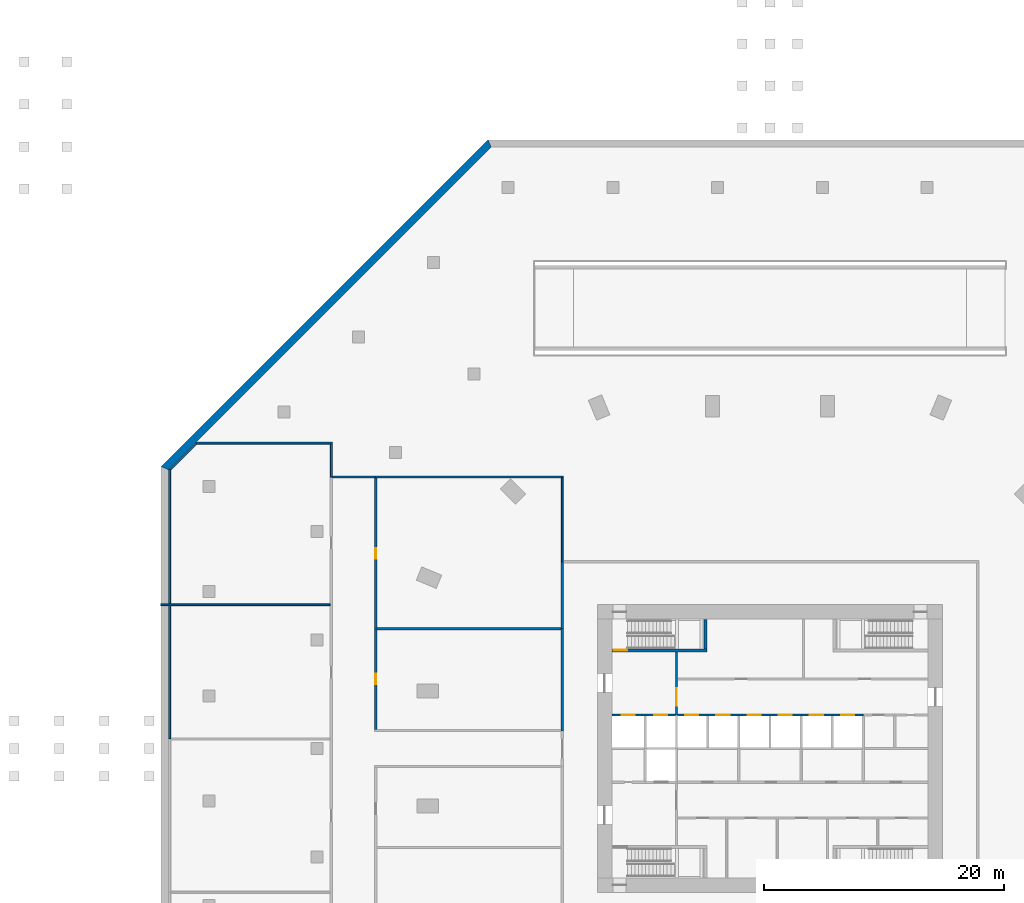
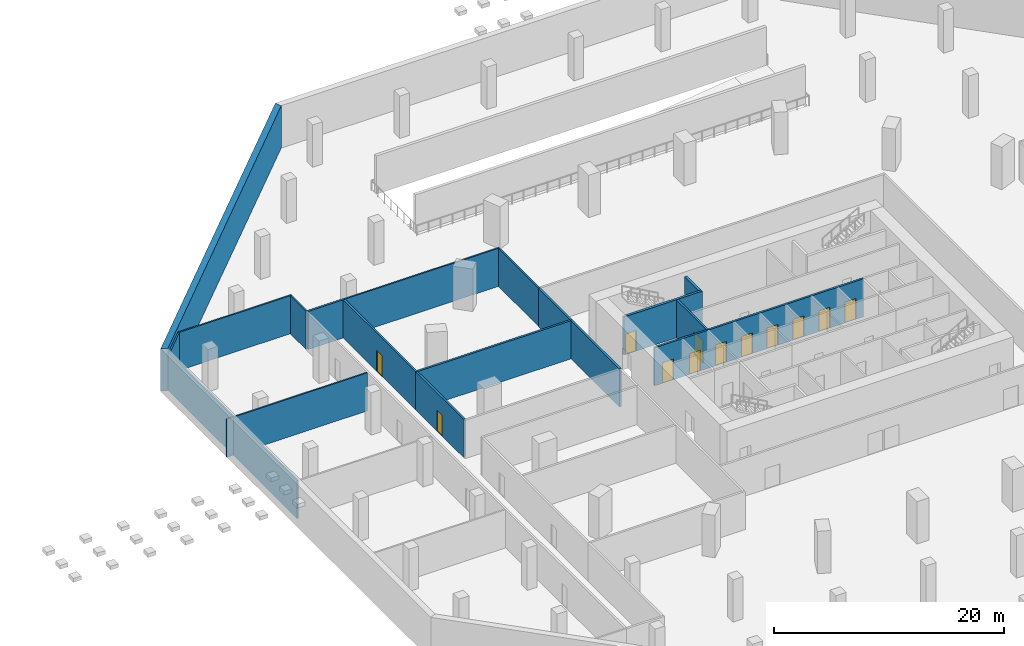
# One storey, part 7 of 11: 19 walls, 12 doors, 12 openings.
"""IFC4 building model written with IfcOpenShell, lengths in metres."""

from ifc_helpers import new_model, si_unit, direction, frame, frame_2d, origin, place, context, subcontext, project, spatial, polyline, rectangle, outline, extrude, material, layer, layer_set, type_object, element, fill, save


model = new_model("IFC4")

# Units and contexts
model_context = context("Model", 3, precision=1e-05, world=origin(), true_north=direction((0.0, 1.0)))
body_context = subcontext(model_context, "Body", "Model", "MODEL_VIEW")
ifc_project = project(units=[si_unit("LENGTHUNIT", "METRE"), si_unit("AREAUNIT", "SQUARE_METRE"), si_unit("VOLUMEUNIT", "CUBIC_METRE"), si_unit("PLANEANGLEUNIT", "RADIAN"), si_unit("MASSUNIT", "GRAM", prefix="KILO")], contexts=[model_context])

# Site, building, storey
site_placement = place(None, origin())
site = spatial("IfcSite", under=ifc_project, at=site_placement, CompositionType="ELEMENT")
building_placement = place(site_placement, origin())
building = spatial("IfcBuilding", under=site, at=building_placement, Name="Msitu Wima Residences", CompositionType="ELEMENT")
storey_placement = place(building_placement, frame((0.0, 0.0, -4.5)))
storey = spatial("IfcBuildingStorey", under=building, at=storey_placement, Name="B1", CompositionType="ELEMENT", Elevation=-4.5)

# Wall
ifc_material_1 = material(Name="Plaster")
ifc_layer_1 = layer(ifc_material_1, 0.011962890625, Name="Plaster")
ifc_material_2 = material(Name="Concrete blockwork", Category="masonry")
ifc_layer_2 = layer(ifc_material_2, 0.176025390625, Name="Concrete blockwork")
ifc_layer_3 = layer(ifc_material_1, 0.011962890625, Name="Plaster")
ifc_layer_set_1 = layer_set([ifc_layer_1, ifc_layer_2, ifc_layer_3], Name="Concrete blockwork")
wall_type_1 = type_object("IfcWallType", Name="Corridor wall FW200", PredefinedType="PARTITIONING", material=ifc_layer_set_1)
wall_1_placement = place(storey_placement, frame((-36.5, 22.65576171875, 0.0), z_axis=(0.0, 0.0, 1.0), x_axis=(1.0, 0.0, 0.0)))
element("IfcWall", 1, at=wall_1_placement, inside=storey, type_object=wall_type_1, Name="Corridor wall", PredefinedType="PARTITIONING", context=body_context, shape_type="SweptSolid", body=[
    extrude(rectangle(XDim=3.60009765625, YDim=0.199951171875, at=frame_2d((1.800048828125, 0.0))), origin(), (0.0, 0.0, 1.0), 4.048095703125),
])

# Wall, opening, door
wall_2_placement = place(storey_placement, frame((-32.89990234375, 9.97998046875, 0.0), z_axis=(0.0, 0.0, 1.0), x_axis=(0.0, 1.0, 0.0)))
wall_2 = element("IfcWall", 2, at=wall_2_placement, inside=storey, type_object=wall_type_1, Name="Corridor wall", PredefinedType="PARTITIONING", context=body_context, shape_type="SweptSolid", body=[
    extrude(rectangle(XDim=12.575927734375, YDim=0.199951171875, at=frame_2d((6.2880859375, 0.0))), origin(), (0.0, 0.0, 1.0), 4.048095703125),
])
opening_1_placement = place(wall_2_placement, frame((5.85009765625, 0.0, 0.0)))
opening_1 = element("IfcOpeningElement", 3, at=opening_1_placement, cuts=wall_2, Name="Opening DB1.032", PredefinedType="OPENING", context=body_context, shape_type="SweptSolid", body=[
    extrude(rectangle(XDim=0.89990234375, YDim=2.199951171875, at=frame_2d((0.449951171875, 1.10009765625))), frame((0.0, 0.10986328125, 0.0), z_axis=(0.0, -1.0, 0.0), x_axis=(1.0, 0.0, 0.0)), (0.0, 0.0, 1.0), 0.219970703125),
])
ifc_material_3 = material(Name="Timber flush door", Category="wood")
door_type_1 = type_object("IfcDoorType", Name="Service door D05 900x2200", OperationType="SINGLE_SWING_LEFT", PredefinedType="DOOR", material=ifc_material_3)
door_1_placement = place(opening_1_placement, origin())
door_1 = element("IfcDoor", 4, at=door_1_placement, inside=storey, type_object=door_type_1, Name="Service door", OperationType="SINGLE_SWING_LEFT", OverallHeight=2.199951171875, OverallWidth=0.89990234375, PredefinedType="DOOR", context=body_context, shape_type="SweptSolid", body=[
    extrude(rectangle(XDim=0.89990234375, YDim=2.199951171875, at=frame_2d((0.449951171875, 1.10009765625))), frame((0.0, 0.02490234375, 0.0), z_axis=(0.0, -1.0, 0.0), x_axis=(1.0, 0.0, 0.0)), (0.0, 0.0, 1.0), 0.050048828125),
])
fill(opening_1, door_1)

# Wall
wall_3_placement = place(storey_placement, frame((-17.327880859375, 10.02001953125, 0.0), z_axis=(0.0, 0.0, 1.0), x_axis=(0.0, 1.0, 0.0)))
element("IfcWall", 5, at=wall_3_placement, inside=storey, type_object=wall_type_1, Name="Corridor wall", PredefinedType="PARTITIONING", context=body_context, shape_type="SweptSolid", body=[
    extrude(rectangle(XDim=5.56005859375, YDim=0.199951171875, at=frame_2d((2.780029296875, 0.0))), origin(), (0.0, 0.0, 1.0), 4.048095703125),
])

# Wall, opening, door
wall_4_placement = place(storey_placement, frame((-7.800048828125, 2.800048828125, 0.0), z_axis=(0.0, 0.0, 1.0), x_axis=(0.0, 1.0, 0.0)))
wall_4 = element("IfcWall", 6, at=wall_4_placement, inside=storey, type_object=wall_type_1, Name="Corridor wall", PredefinedType="PARTITIONING", context=body_context, shape_type="SweptSolid", body=[
    extrude(rectangle(XDim=5.27490234375, YDim=0.199951171875, at=frame_2d((2.637451171875, 0.0))), origin(), (0.0, 0.0, 1.0), 4.048095703125),
])
opening_2_placement = place(wall_4_placement, frame((0.75, 0.0, 0.0)))
opening_2 = element("IfcOpeningElement", 7, at=opening_2_placement, cuts=wall_4, Name="Opening DB1.002", PredefinedType="OPENING", context=body_context, shape_type="SweptSolid", body=[
    extrude(rectangle(XDim=1.5, YDim=2.39990234375, at=frame_2d((0.75, 1.199951171875))), frame((0.0, 0.10986328125, 0.0), z_axis=(0.0, -1.0, 0.0), x_axis=(1.0, 0.0, 0.0)), (0.0, 0.0, 1.0), 0.219970703125),
])
ifc_material_4 = material(Name="Steel framed glazed door, fire resisting", Category="steel")
door_type_2 = type_object("IfcDoorType", Name="Lobby door D07 1500x2400", OperationType="DOUBLE_DOOR_SINGLE_SWING", PredefinedType="DOOR", material=ifc_material_4)
door_2_placement = place(opening_2_placement, origin())
door_2 = element("IfcDoor", 8, at=door_2_placement, inside=storey, type_object=door_type_2, Name="Lobby door", OperationType="DOUBLE_DOOR_SINGLE_SWING", OverallHeight=2.39990234375, OverallWidth=1.5, PredefinedType="DOOR", context=body_context, shape_type="SweptSolid", body=[
    extrude(rectangle(XDim=1.5, YDim=2.39990234375, at=frame_2d((0.75, 1.199951171875))), frame((0.0, 0.02490234375, 0.0), z_axis=(0.0, -1.0, 0.0), x_axis=(1.0, 0.0, 0.0)), (0.0, 0.0, 1.0), 0.050048828125),
])
fill(opening_2, door_2)

# Walls
ifc_layer_4 = layer(ifc_material_1, 0.011962890625, Name="Plaster")
ifc_layer_5 = layer(ifc_material_2, 0.1259765625, Name="Concrete blockwork")
ifc_layer_6 = layer(ifc_material_1, 0.011962890625, Name="Plaster")
ifc_layer_set_2 = layer_set([ifc_layer_4, ifc_layer_5, ifc_layer_6], Name="Concrete blockwork")
wall_type_2 = type_object("IfcWallType", Name="Partition PW150", PredefinedType="PARTITIONING", material=ifc_layer_set_2)
wall_5_placement = place(storey_placement, frame((-50.10009765625, 0.820068359375, 0.0), z_axis=(0.0, 0.0, 1.0), x_axis=(0.0, 1.0, 0.0)))
element("IfcWall", 9, at=wall_5_placement, inside=storey, type_object=wall_type_2, Name="Partition", PredefinedType="PARTITIONING", context=body_context, shape_type="SweptSolid", body=[
    extrude(rectangle(XDim=11.10498046875, YDim=0.14990234375, at=frame_2d((5.552490234375, 0.0))), origin(), (0.0, 0.0, 1.0), 4.048095703125),
])
wall_6_placement = place(storey_placement, frame((-50.85498046875, 12.0, 0.0), z_axis=(0.0, 0.0, 1.0), x_axis=(1.0, 0.0, 0.0)))
element("IfcWall", 10, at=wall_6_placement, inside=storey, type_object=wall_type_2, Name="Partition", PredefinedType="PARTITIONING", context=body_context, shape_type="SweptSolid", body=[
    extrude(rectangle(XDim=14.155029296875, YDim=0.14990234375, at=frame_2d((7.07763671875, 0.0))), origin(), (0.0, 0.0, 1.0), 4.048095703125),
])
wall_7_placement = place(storey_placement, frame((-50.10009765625, 12.094970703125, 0.0), z_axis=(0.0, 0.0, 1.0), x_axis=(0.0, 1.0, 0.0)))
element("IfcWall", 11, at=wall_7_placement, inside=storey, type_object=wall_type_2, Name="Partition", PredefinedType="PARTITIONING", context=body_context, shape_type="SweptSolid", body=[
    extrude(rectangle(XDim=11.202880859375, YDim=0.14990234375, at=frame_2d((5.6015625, 0.0))), origin(), (0.0, 0.0, 1.0), 4.048095703125),
])
wall_8_placement = place(storey_placement, frame((-50.046875, 23.27587890625, 0.0), z_axis=(0.0, 0.0, 1.0), x_axis=(0.707146808742, 0.707066751365, 0.0)))
element("IfcWall", 12, at=wall_8_placement, inside=storey, type_object=wall_type_2, Name="Partition", PredefinedType="PARTITIONING", context=body_context, shape_type="SweptSolid", body=[
    extrude(rectangle(XDim=3.049560546875, YDim=0.14990234375, at=frame_2d((1.52490234375, 0.0))), origin(), (0.0, 0.0, 1.0), 4.048095703125),
])
wall_9_placement = place(storey_placement, frame((-47.912353515625, 25.4853515625, 0.0), z_axis=(0.0, 0.0, 1.0), x_axis=(1.0, 0.0, 0.0)))
element("IfcWall", 13, at=wall_9_placement, inside=storey, type_object=wall_type_2, Name="Partition", PredefinedType="PARTITIONING", context=body_context, shape_type="SweptSolid", body=[
    extrude(rectangle(XDim=11.387451171875, YDim=0.14990234375, at=frame_2d((5.69384765625, 0.0))), origin(), (0.0, 0.0, 1.0), 4.048095703125),
])
wall_10_placement = place(storey_placement, frame((-36.60009765625, 22.65576171875, 0.0), z_axis=(0.0, 0.0, 1.0), x_axis=(0.0, 1.0, 0.0)))
element("IfcWall", 14, at=wall_10_placement, inside=storey, type_object=wall_type_2, Name="Partition", PredefinedType="PARTITIONING", context=body_context, shape_type="SweptSolid", body=[
    extrude(rectangle(XDim=2.754638671875, YDim=0.14990234375, at=frame_2d((1.37744140625, 0.0))), origin(), (0.0, 0.0, 1.0), 4.048095703125),
])
wall_11_placement = place(storey_placement, frame((-32.89990234375, 22.65576171875, 0.0), z_axis=(0.0, 0.0, 1.0), x_axis=(1.0, 0.0, 0.0)))
element("IfcWall", 15, at=wall_11_placement, inside=storey, type_object=wall_type_2, Name="Partition", PredefinedType="PARTITIONING", context=body_context, shape_type="SweptSolid", body=[
    extrude(rectangle(XDim=15.64697265625, YDim=0.14990234375, at=frame_2d((7.823486328125, 0.0))), origin(), (0.0, 0.0, 1.0), 4.048095703125),
])
wall_12_placement = place(storey_placement, frame((-17.327880859375, 15.580078125, 0.0), z_axis=(0.0, 0.0, 1.0), x_axis=(0.0, 1.0, 0.0)))
element("IfcWall", 16, at=wall_12_placement, inside=storey, type_object=wall_type_2, Name="Partition", PredefinedType="PARTITIONING", context=body_context, shape_type="SweptSolid", body=[
    extrude(rectangle(XDim=7.000732421875, YDim=0.14990234375, at=frame_2d((3.50048828125, 0.0))), origin(), (0.0, 0.0, 1.0), 4.048095703125),
])

# Wall, opening, door
ifc_layer_7 = layer(ifc_material_1, 0.011962890625, Name="Plaster")
ifc_material_5 = material(Name="Reinforced concrete blockwork", Category="masonry")
ifc_layer_8 = layer(ifc_material_5, 0.176025390625, Name="Reinforced concrete blockwork")
ifc_layer_9 = layer(ifc_material_1, 0.011962890625, Name="Plaster")
ifc_layer_set_3 = layer_set([ifc_layer_7, ifc_layer_8, ifc_layer_9], Name="Reinforced concrete blockwork")
wall_type_3 = type_object("IfcWallType", Name="Plant and riser wall PL200", PredefinedType="PARTITIONING", material=ifc_layer_set_3)
wall_13_placement = place(storey_placement, frame((-32.89990234375, 1.60009765625, 0.0), z_axis=(0.0, 0.0, 1.0), x_axis=(0.0, 1.0, 0.0)))
wall_13 = element("IfcWall", 17, at=wall_13_placement, inside=storey, type_object=wall_type_3, Name="Plant and riser wall", PredefinedType="PARTITIONING", context=body_context, shape_type="SweptSolid", body=[
    extrude(rectangle(XDim=8.3798828125, YDim=0.199951171875, at=frame_2d((4.18994140625, 0.0))), origin(), (0.0, 0.0, 1.0), 4.048095703125),
])
opening_3_placement = place(wall_13_placement, frame((3.75, 0.0, 0.0)))
opening_3 = element("IfcOpeningElement", 18, at=opening_3_placement, cuts=wall_13, Name="Opening DB1.031", PredefinedType="OPENING", context=body_context, shape_type="SweptSolid", body=[
    extrude(rectangle(XDim=0.89990234375, YDim=2.199951171875, at=frame_2d((0.449951171875, 1.10009765625))), frame((0.0, 0.10986328125, 0.0), z_axis=(0.0, -1.0, 0.0), x_axis=(1.0, 0.0, 0.0)), (0.0, 0.0, 1.0), 0.219970703125),
])
door_3_placement = place(opening_3_placement, origin())
door_3 = element("IfcDoor", 19, at=door_3_placement, inside=storey, type_object=door_type_1, Name="Service door", OperationType="SINGLE_SWING_LEFT", OverallHeight=2.199951171875, OverallWidth=0.89990234375, PredefinedType="DOOR", context=body_context, shape_type="SweptSolid", body=[
    extrude(rectangle(XDim=0.89990234375, YDim=2.199951171875, at=frame_2d((0.449951171875, 1.10009765625))), frame((0.0, 0.02490234375, 0.0), z_axis=(0.0, -1.0, 0.0), x_axis=(1.0, 0.0, 0.0)), (0.0, 0.0, 1.0), 0.050048828125),
])
fill(opening_3, door_3)

# Walls
wall_14_placement = place(storey_placement, frame((-32.800048828125, 10.0, 0.0), z_axis=(0.0, 0.0, 1.0), x_axis=(1.0, 0.0, 0.0)))
element("IfcWall", 20, at=wall_14_placement, inside=storey, type_object=wall_type_3, Name="Plant and riser wall", PredefinedType="PARTITIONING", context=body_context, shape_type="SweptSolid", body=[
    extrude(rectangle(XDim=15.3720703125, YDim=0.199951171875, at=frame_2d((7.68603515625, 0.0))), origin(), (0.0, 0.0, 1.0), 4.048095703125),
])
wall_15_placement = place(storey_placement, frame((-17.327880859375, 1.47998046875, 0.0), z_axis=(0.0, 0.0, 1.0), x_axis=(0.0, 1.0, 0.0)))
element("IfcWall", 21, at=wall_15_placement, inside=storey, type_object=wall_type_3, Name="Plant and riser wall", PredefinedType="PARTITIONING", context=body_context, shape_type="SweptSolid", body=[
    extrude(rectangle(XDim=8.5400390625, YDim=0.199951171875, at=frame_2d((4.27001953125, 0.0))), origin(), (0.0, 0.0, 1.0), 4.048095703125),
])
ifc_material_6 = material(Name="Concrete C60/75", Category="concrete")
ifc_layer_10 = layer(ifc_material_6, 0.60009765625)
ifc_layer_set_4 = layer_set([ifc_layer_10], Name="Concrete C60/75")
wall_type_4 = type_object("IfcWallType", Name="Retaining wall RW600", PredefinedType="SOLIDWALL", material=ifc_layer_set_4)
wall_16_placement = place(storey_placement, origin())
element("IfcWall", 22, at=wall_16_placement, inside=storey, type_object=wall_type_4, Name="Basement retaining wall NW B1", PredefinedType="SOLIDWALL", context=body_context, shape_type="SweptSolid", body=[
    extrude(outline(polyline([(-23.5126953125, 50.800048828125), (-50.800048828125, 23.5126953125), (-50.199951171875, 23.26416015625), (-23.26416015625, 50.199951171875), (-23.5126953125, 50.800048828125)])), origin(), (0.0, 0.0, 1.0), 4.5),
])

# Wall, openings, doors
ifc_material_7 = material(Name="Fire-rated board")
ifc_layer_11 = layer(ifc_material_7, 0.02490234375, Name="Fire-rated board")
ifc_material_8 = material(Name="Light-gauge stud framing with mineral wool")
ifc_layer_12 = layer(ifc_material_8, 0.14990234375, Name="Light-gauge stud framing with mineral wool")
ifc_layer_13 = layer(ifc_material_7, 0.02490234375, Name="Fire-rated board")
ifc_layer_set_5 = layer_set([ifc_layer_11, ifc_layer_12, ifc_layer_13], Name="Light-gauge stud framing with mineral wool")
wall_type_5 = type_object("IfcWallType", Name="Shaft wall SH200", PredefinedType="PARTITIONING", material=ifc_layer_set_5)
wall_17_placement = place(storey_placement, frame((-13.169921875, 2.800048828125, 0.0), z_axis=(0.0, 0.0, 1.0), x_axis=(1.0, 0.0, 0.0)))
wall_17 = element("IfcWall", 23, at=wall_17_placement, inside=storey, type_object=wall_type_5, Name="Shaft wall", PredefinedType="PARTITIONING", context=body_context, shape_type="SweptSolid", body=[
    extrude(rectangle(XDim=20.969970703125, YDim=0.199951171875, at=frame_2d((10.48486328125, 0.0))), origin(), (0.0, 0.0, 1.0), 4.048095703125),
])
opening_4_placement = place(wall_17_placement, frame((0.800048828125, 0.0, 0.0)))
opening_4 = element("IfcOpeningElement", 24, at=opening_4_placement, cuts=wall_17, Name="Opening LD", PredefinedType="OPENING", context=body_context, shape_type="SweptSolid", body=[
    extrude(rectangle(XDim=1.10009765625, YDim=2.199951171875, at=frame_2d((0.550048828125, 1.10009765625))), frame((0.0, 0.10986328125, 0.0), z_axis=(0.0, -1.0, 0.0), x_axis=(1.0, 0.0, 0.0)), (0.0, 0.0, 1.0), 0.219970703125),
])
opening_5_placement = place(wall_17_placement, frame((3.5, 0.0, 0.0)))
opening_5 = element("IfcOpeningElement", 25, at=opening_5_placement, cuts=wall_17, Name="Opening LD", PredefinedType="OPENING", context=body_context, shape_type="SweptSolid", body=[
    extrude(rectangle(XDim=1.10009765625, YDim=2.199951171875, at=frame_2d((0.550048828125, 1.10009765625))), frame((0.0, 0.10986328125, 0.0), z_axis=(0.0, -1.0, 0.0), x_axis=(1.0, 0.0, 0.0)), (0.0, 0.0, 1.0), 0.219970703125),
])
opening_6_placement = place(wall_17_placement, frame((6.10009765625, 0.0, 0.0)))
opening_6 = element("IfcOpeningElement", 26, at=opening_6_placement, cuts=wall_17, Name="Opening LD", PredefinedType="OPENING", context=body_context, shape_type="SweptSolid", body=[
    extrude(rectangle(XDim=1.10009765625, YDim=2.199951171875, at=frame_2d((0.550048828125, 1.10009765625))), frame((0.0, 0.10986328125, 0.0), z_axis=(0.0, -1.0, 0.0), x_axis=(1.0, 0.0, 0.0)), (0.0, 0.0, 1.0), 0.219970703125),
])
opening_7_placement = place(wall_17_placement, frame((8.699951171875, 0.0, 0.0)))
opening_7 = element("IfcOpeningElement", 27, at=opening_7_placement, cuts=wall_17, Name="Opening LD", PredefinedType="OPENING", context=body_context, shape_type="SweptSolid", body=[
    extrude(rectangle(XDim=1.10009765625, YDim=2.199951171875, at=frame_2d((0.550048828125, 1.10009765625))), frame((0.0, 0.10986328125, 0.0), z_axis=(0.0, -1.0, 0.0), x_axis=(1.0, 0.0, 0.0)), (0.0, 0.0, 1.0), 0.219970703125),
])
opening_8_placement = place(wall_17_placement, frame((11.300048828125, 0.0, 0.0)))
opening_8 = element("IfcOpeningElement", 28, at=opening_8_placement, cuts=wall_17, Name="Opening LD", PredefinedType="OPENING", context=body_context, shape_type="SweptSolid", body=[
    extrude(rectangle(XDim=1.10009765625, YDim=2.199951171875, at=frame_2d((0.550048828125, 1.10009765625))), frame((0.0, 0.10986328125, 0.0), z_axis=(0.0, -1.0, 0.0), x_axis=(1.0, 0.0, 0.0)), (0.0, 0.0, 1.0), 0.219970703125),
])
opening_9_placement = place(wall_17_placement, frame((13.89990234375, 0.0, 0.0)))
opening_9 = element("IfcOpeningElement", 29, at=opening_9_placement, cuts=wall_17, Name="Opening LD", PredefinedType="OPENING", context=body_context, shape_type="SweptSolid", body=[
    extrude(rectangle(XDim=1.10009765625, YDim=2.199951171875, at=frame_2d((0.550048828125, 1.10009765625))), frame((0.0, 0.10986328125, 0.0), z_axis=(0.0, -1.0, 0.0), x_axis=(1.0, 0.0, 0.0)), (0.0, 0.0, 1.0), 0.219970703125),
])
opening_10_placement = place(wall_17_placement, frame((16.5, 0.0, 0.0)))
opening_10 = element("IfcOpeningElement", 30, at=opening_10_placement, cuts=wall_17, Name="Opening LD", PredefinedType="OPENING", context=body_context, shape_type="SweptSolid", body=[
    extrude(rectangle(XDim=1.10009765625, YDim=2.199951171875, at=frame_2d((0.550048828125, 1.10009765625))), frame((0.0, 0.10986328125, 0.0), z_axis=(0.0, -1.0, 0.0), x_axis=(1.0, 0.0, 0.0)), (0.0, 0.0, 1.0), 0.219970703125),
])
opening_11_placement = place(wall_17_placement, frame((19.10009765625, 0.0, 0.0)))
opening_11 = element("IfcOpeningElement", 31, at=opening_11_placement, cuts=wall_17, Name="Opening LD", PredefinedType="OPENING", context=body_context, shape_type="SweptSolid", body=[
    extrude(rectangle(XDim=1.10009765625, YDim=2.199951171875, at=frame_2d((0.550048828125, 1.10009765625))), frame((0.0, 0.10986328125, 0.0), z_axis=(0.0, -1.0, 0.0), x_axis=(1.0, 0.0, 0.0)), (0.0, 0.0, 1.0), 0.219970703125),
])
ifc_material_9 = material(Name="Stainless steel centre-opening landing door, rated", Category="steel")
door_type_3 = type_object("IfcDoorType", Name="Lift landing door LD 1100x2200", OperationType="DOUBLE_DOOR_SLIDING", PredefinedType="DOOR", material=ifc_material_9)
door_4_placement = place(opening_4_placement, origin())
door_4 = element("IfcDoor", 32, at=door_4_placement, inside=storey, type_object=door_type_3, Name="Lift landing door LD1", OperationType="DOUBLE_DOOR_SLIDING", OverallHeight=2.199951171875, OverallWidth=1.10009765625, PredefinedType="DOOR", context=body_context, shape_type="SweptSolid", body=[
    extrude(rectangle(XDim=1.10009765625, YDim=2.199951171875, at=frame_2d((0.550048828125, 1.10009765625))), frame((0.0, 0.02490234375, 0.0), z_axis=(0.0, -1.0, 0.0), x_axis=(1.0, 0.0, 0.0)), (0.0, 0.0, 1.0), 0.050048828125),
])
fill(opening_4, door_4)
door_5_placement = place(opening_5_placement, origin())
door_5 = element("IfcDoor", 33, at=door_5_placement, inside=storey, type_object=door_type_3, Name="Lift landing door LD2", OperationType="DOUBLE_DOOR_SLIDING", OverallHeight=2.199951171875, OverallWidth=1.10009765625, PredefinedType="DOOR", context=body_context, shape_type="SweptSolid", body=[
    extrude(rectangle(XDim=1.10009765625, YDim=2.199951171875, at=frame_2d((0.550048828125, 1.10009765625))), frame((0.0, 0.02490234375, 0.0), z_axis=(0.0, -1.0, 0.0), x_axis=(1.0, 0.0, 0.0)), (0.0, 0.0, 1.0), 0.050048828125),
])
fill(opening_5, door_5)
door_6_placement = place(opening_6_placement, origin())
door_6 = element("IfcDoor", 34, at=door_6_placement, inside=storey, type_object=door_type_3, Name="Lift landing door LD4", OperationType="DOUBLE_DOOR_SLIDING", OverallHeight=2.199951171875, OverallWidth=1.10009765625, PredefinedType="DOOR", context=body_context, shape_type="SweptSolid", body=[
    extrude(rectangle(XDim=1.10009765625, YDim=2.199951171875, at=frame_2d((0.550048828125, 1.10009765625))), frame((0.0, 0.02490234375, 0.0), z_axis=(0.0, -1.0, 0.0), x_axis=(1.0, 0.0, 0.0)), (0.0, 0.0, 1.0), 0.050048828125),
])
fill(opening_6, door_6)
door_7_placement = place(opening_7_placement, origin())
door_7 = element("IfcDoor", 35, at=door_7_placement, inside=storey, type_object=door_type_3, Name="Lift landing door LD6", OperationType="DOUBLE_DOOR_SLIDING", OverallHeight=2.199951171875, OverallWidth=1.10009765625, PredefinedType="DOOR", context=body_context, shape_type="SweptSolid", body=[
    extrude(rectangle(XDim=1.10009765625, YDim=2.199951171875, at=frame_2d((0.550048828125, 1.10009765625))), frame((0.0, 0.02490234375, 0.0), z_axis=(0.0, -1.0, 0.0), x_axis=(1.0, 0.0, 0.0)), (0.0, 0.0, 1.0), 0.050048828125),
])
fill(opening_7, door_7)
door_8_placement = place(opening_8_placement, origin())
door_8 = element("IfcDoor", 36, at=door_8_placement, inside=storey, type_object=door_type_3, Name="Lift landing door LD8", OperationType="DOUBLE_DOOR_SLIDING", OverallHeight=2.199951171875, OverallWidth=1.10009765625, PredefinedType="DOOR", context=body_context, shape_type="SweptSolid", body=[
    extrude(rectangle(XDim=1.10009765625, YDim=2.199951171875, at=frame_2d((0.550048828125, 1.10009765625))), frame((0.0, 0.02490234375, 0.0), z_axis=(0.0, -1.0, 0.0), x_axis=(1.0, 0.0, 0.0)), (0.0, 0.0, 1.0), 0.050048828125),
])
fill(opening_8, door_8)
door_9_placement = place(opening_9_placement, origin())
door_9 = element("IfcDoor", 37, at=door_9_placement, inside=storey, type_object=door_type_3, Name="Lift landing door LD10", OperationType="DOUBLE_DOOR_SLIDING", OverallHeight=2.199951171875, OverallWidth=1.10009765625, PredefinedType="DOOR", context=body_context, shape_type="SweptSolid", body=[
    extrude(rectangle(XDim=1.10009765625, YDim=2.199951171875, at=frame_2d((0.550048828125, 1.10009765625))), frame((0.0, 0.02490234375, 0.0), z_axis=(0.0, -1.0, 0.0), x_axis=(1.0, 0.0, 0.0)), (0.0, 0.0, 1.0), 0.050048828125),
])
fill(opening_9, door_9)
door_10_placement = place(opening_10_placement, origin())
door_10 = element("IfcDoor", 38, at=door_10_placement, inside=storey, type_object=door_type_3, Name="Lift landing door LD12", OperationType="DOUBLE_DOOR_SLIDING", OverallHeight=2.199951171875, OverallWidth=1.10009765625, PredefinedType="DOOR", context=body_context, shape_type="SweptSolid", body=[
    extrude(rectangle(XDim=1.10009765625, YDim=2.199951171875, at=frame_2d((0.550048828125, 1.10009765625))), frame((0.0, 0.02490234375, 0.0), z_axis=(0.0, -1.0, 0.0), x_axis=(1.0, 0.0, 0.0)), (0.0, 0.0, 1.0), 0.050048828125),
])
fill(opening_10, door_10)
door_11_placement = place(opening_11_placement, origin())
door_11 = element("IfcDoor", 39, at=door_11_placement, inside=storey, type_object=door_type_3, Name="Lift landing door LD14", OperationType="DOUBLE_DOOR_SLIDING", OverallHeight=2.199951171875, OverallWidth=1.10009765625, PredefinedType="DOOR", context=body_context, shape_type="SweptSolid", body=[
    extrude(rectangle(XDim=1.10009765625, YDim=2.199951171875, at=frame_2d((0.550048828125, 1.10009765625))), frame((0.0, 0.02490234375, 0.0), z_axis=(0.0, -1.0, 0.0), x_axis=(1.0, 0.0, 0.0)), (0.0, 0.0, 1.0), 0.050048828125),
])
fill(opening_11, door_11)

# Wall, opening, door
ifc_material_10 = material(Name="Concrete C50/60", Category="concrete")
ifc_layer_14 = layer(ifc_material_10, 0.25)
ifc_layer_set_6 = layer_set([ifc_layer_14], Name="Concrete C50/60")
wall_type_6 = type_object("IfcWallType", Name="Stair enclosure wall SW250", PredefinedType="SHEAR", material=ifc_layer_set_6)
wall_18_placement = place(storey_placement, frame((-13.169921875, 8.199951171875, 0.0), z_axis=(0.0, 0.0, 1.0), x_axis=(1.0, 0.0, 0.0)))
wall_18 = element("IfcWall", 40, at=wall_18_placement, inside=storey, type_object=wall_type_6, Name="Stair enclosure wall", PredefinedType="SHEAR", context=body_context, shape_type="SweptSolid", body=[
    extrude(rectangle(XDim=7.89501953125, YDim=0.25, at=frame_2d((3.947509765625, 0.0))), origin(), (0.0, 0.0, 1.0), 4.048095703125),
])
opening_12_placement = place(wall_18_placement, frame((0.14990234375, 0.0, 0.0)))
opening_12 = element("IfcOpeningElement", 41, at=opening_12_placement, cuts=wall_18, Name="Opening DB1.017", PredefinedType="OPENING", context=body_context, shape_type="SweptSolid", body=[
    extrude(rectangle(XDim=1.10009765625, YDim=2.199951171875, at=frame_2d((0.550048828125, 1.10009765625))), frame((0.0, 0.135009765625, 0.0), z_axis=(0.0, -1.0, 0.0), x_axis=(1.0, 0.0, 0.0)), (0.0, 0.0, 1.0), 0.27001953125),
])
ifc_material_11 = material(Name="Steel door, fire resisting, panic bar", Category="steel")
door_type_4 = type_object("IfcDoorType", Name="Stair door D06 1100x2200", OperationType="SINGLE_SWING_LEFT", PredefinedType="DOOR", material=ifc_material_11)
door_12_placement = place(opening_12_placement, origin())
door_12 = element("IfcDoor", 42, at=door_12_placement, inside=storey, type_object=door_type_4, Name="Stair door", OperationType="SINGLE_SWING_LEFT", OverallHeight=2.199951171875, OverallWidth=1.10009765625, PredefinedType="DOOR", context=body_context, shape_type="SweptSolid", body=[
    extrude(rectangle(XDim=1.10009765625, YDim=2.199951171875, at=frame_2d((0.550048828125, 1.10009765625))), frame((0.0, 0.02490234375, 0.0), z_axis=(0.0, -1.0, 0.0), x_axis=(1.0, 0.0, 0.0)), (0.0, 0.0, 1.0), 0.050048828125),
])
fill(opening_12, door_12)

# Wall
wall_19_placement = place(storey_placement, frame((-5.39990234375, 8.324951171875, 0.0), z_axis=(0.0, 0.0, 1.0), x_axis=(0.0, 1.0, 0.0)))
element("IfcWall", 43, at=wall_19_placement, inside=storey, type_object=wall_type_6, Name="Stair enclosure wall", PredefinedType="SHEAR", context=body_context, shape_type="SweptSolid", body=[
    extrude(rectangle(XDim=2.445068359375, YDim=0.25, at=frame_2d((1.22265625, 0.0))), origin(), (0.0, 0.0, 1.0), 4.048095703125),
])

save(model, "model.ifc")
